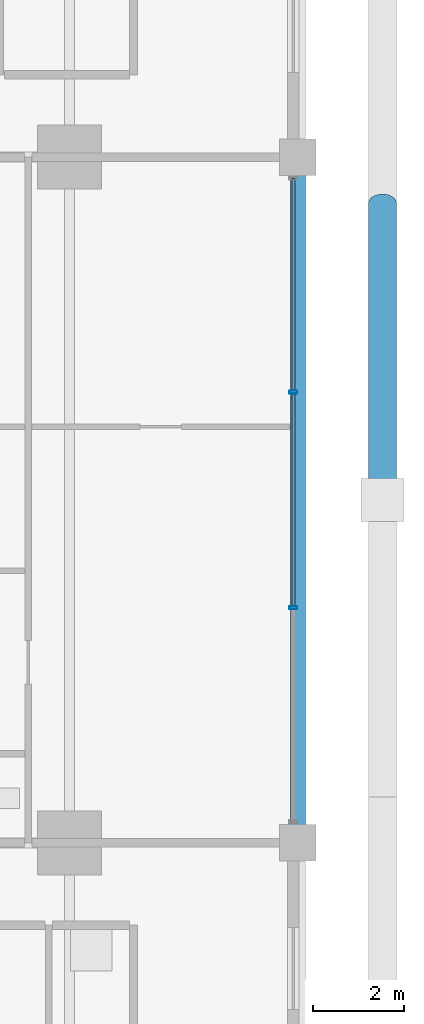
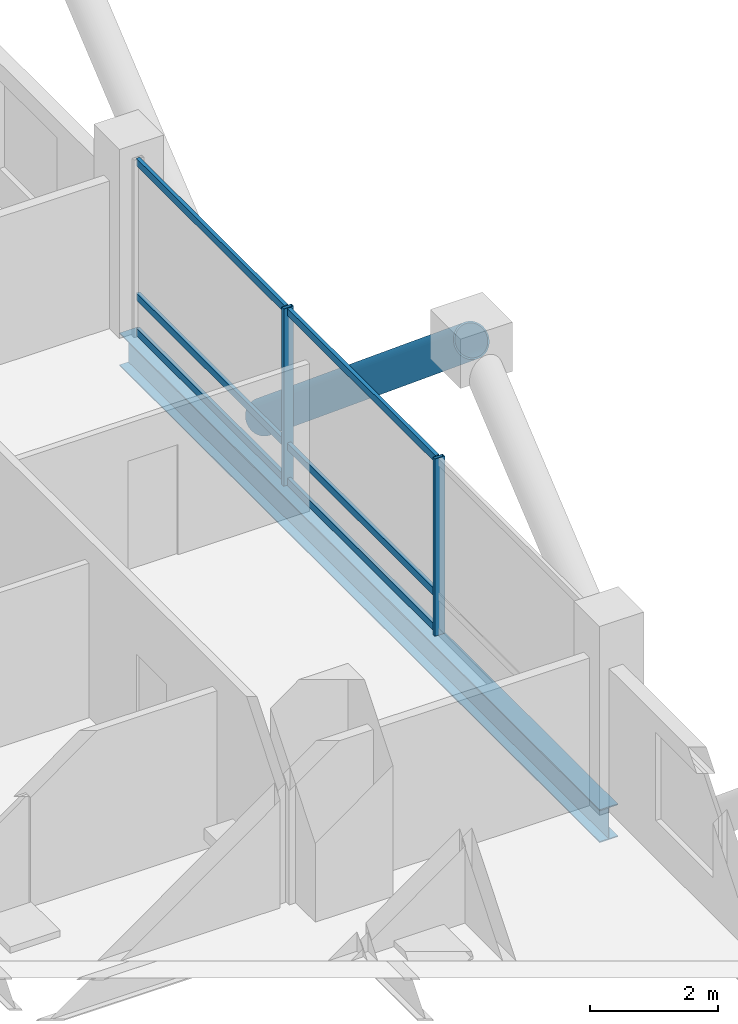
# One storey, part 10 of 24: 9 members, 1 beam, 1 element without a shape of its own.
"""IFC4 building model written with IfcOpenShell, lengths in metres."""

from ifc_helpers import new_model, si_unit, direction, frame, origin, origin_2d, place, context, subcontext, project, spatial, hollow_rectangle, hollow_circle, i_section, extrude, material, layer, layer_set, material_profile, profile_set, type_object, element, aggregate, save


model = new_model("IFC4")

# Units and contexts
model_context = context("Model", 3, precision=1e-05, world=origin(), true_north=direction((0.0, 1.0)))
body_context = subcontext(model_context, "Body", "Model", "MODEL_VIEW")
ifc_project = project(units=[si_unit("LENGTHUNIT", "METRE"), si_unit("AREAUNIT", "SQUARE_METRE"), si_unit("VOLUMEUNIT", "CUBIC_METRE"), si_unit("PLANEANGLEUNIT", "RADIAN"), si_unit("MASSUNIT", "GRAM", prefix="KILO")], contexts=[model_context])

# Site, building, storey
site_placement = place(None, origin())
site = spatial("IfcSite", under=ifc_project, at=site_placement, CompositionType="ELEMENT")
building_placement = place(site_placement, origin())
building = spatial("IfcBuilding", under=site, at=building_placement, Name="Barlavira Tower and Art Museum", CompositionType="ELEMENT")
storey_placement = place(building_placement, frame((0.0, 0.0, 46.800048828125)))
storey = spatial("IfcBuildingStorey", under=building, at=storey_placement, Name="L10", CompositionType="ELEMENT", Elevation=46.800048828125)

# Curtain wall, members
ifc_material_1 = material(Name="Low-iron coastal laminated glass", Category="glass")
ifc_layer = layer(ifc_material_1, 0.179931640625, Name="Low-iron coastal laminated glass")
ifc_layer_set = layer_set([ifc_layer], Name="Low-iron coastal laminated glass")
curtain_wall_type = type_object("IfcCurtainWallType", Name="Pale-Metal Unitised Curtain Wall Zone 1", PredefinedType="NOTDEFINED", material=ifc_layer_set)
curtain_wall_placement = place(storey_placement, origin())
curtain_wall = element("IfcCurtainWall", 1, at=curtain_wall_placement, inside=storey, type_object=curtain_wall_type, Name="L10 Curtain Wall CW1-L10-E-B3", PredefinedType="NOTDEFINED")
ifc_material_2 = material(Name="Pale anodised aluminium", Category="aluminium")
ifc_material_profile_1 = material_profile(ifc_material_2, hollow_rectangle(XDim=0.06494140625, YDim=0.179931640625, WallThickness=0.00390625, at=origin_2d()), Name="ALU-MULL 65x180x4")
ifc_profile_set_1 = profile_set([ifc_material_profile_1], Name="Pale anodised aluminium")
member_type_1 = type_object("IfcMemberType", Name="Curtain Wall Pale-Metal Mullion 65x180", PredefinedType="MULLION", material=ifc_profile_set_1)
member_1_placement = place(storey_placement, frame((21.89990234375, -2.360107421875, 0.0), z_axis=(0.0, 0.0, 1.0), x_axis=(0.0, 1.0, 0.0)))
member_1 = element("IfcMember", 2, at=member_1_placement, type_object=member_type_1, Name="CW1-L10-E-B3 Mullion 1", PredefinedType="MULLION", context=body_context, shape_type="SweptSolid", body=[
    extrude(hollow_rectangle(XDim=0.06494140625, YDim=0.179931640625, WallThickness=0.00390625, at=origin_2d()), origin(), (0.0, 0.0, 1.0), 3.3798828125),
])
member_2_placement = place(storey_placement, frame((21.89990234375, 2.360107421875, 0.0), z_axis=(0.0, 0.0, 1.0), x_axis=(0.0, 1.0, 0.0)))
member_2 = element("IfcMember", 3, at=member_2_placement, type_object=member_type_1, Name="CW1-L10-E-B3 Mullion 2", PredefinedType="MULLION", context=body_context, shape_type="SweptSolid", body=[
    extrude(hollow_rectangle(XDim=0.06494140625, YDim=0.179931640625, WallThickness=0.00390625, at=origin_2d()), origin(), (0.0, 0.0, 1.0), 3.3798828125),
])
ifc_material_profile_2 = material_profile(ifc_material_2, hollow_rectangle(XDim=0.06494140625, YDim=0.139892578125, WallThickness=0.00390625, at=origin_2d()), Name="ALU-TRAN 65x140x4")
ifc_profile_set_2 = profile_set([ifc_material_profile_2], Name="Pale anodised aluminium")
member_type_2 = type_object("IfcMemberType", Name="Curtain Wall Pale-Metal Transom 65x140", PredefinedType="USERDEFINED", material=ifc_profile_set_2)
member_3_placement = place(storey_placement, frame((21.89990234375, -2.31494140625, 0.070068359375), z_axis=(0.0, 1.0, 0.0), x_axis=(-1.0, 0.0, 0.0)))
member_3 = element("IfcMember", 4, at=member_3_placement, type_object=member_type_2, Name="CW1-L10-E-B3 Transom 1.1", ObjectType="TRANSOM", PredefinedType="USERDEFINED", context=body_context, shape_type="SweptSolid", body=[
    extrude(hollow_rectangle(XDim=0.06494140625, YDim=0.139892578125, WallThickness=0.00390625, at=origin_2d()), origin(), (0.0, 0.0, 1.0), 4.6298828125),
])
member_4_placement = place(storey_placement, frame((21.89990234375, -2.31494140625, 0.743896484375), z_axis=(0.0, 1.0, 0.0), x_axis=(-1.0, 0.0, 0.0)))
member_4 = element("IfcMember", 5, at=member_4_placement, type_object=member_type_2, Name="CW1-L10-E-B3 Transom 1.2", ObjectType="TRANSOM", PredefinedType="USERDEFINED", context=body_context, shape_type="SweptSolid", body=[
    extrude(hollow_rectangle(XDim=0.06494140625, YDim=0.139892578125, WallThickness=0.00390625, at=origin_2d()), origin(), (0.0, 0.0, 1.0), 4.6298828125),
])
member_5_placement = place(storey_placement, frame((21.89990234375, -2.31494140625, 3.31005859375), z_axis=(0.0, 1.0, 0.0), x_axis=(-1.0, 0.0, 0.0)))
member_5 = element("IfcMember", 6, at=member_5_placement, type_object=member_type_2, Name="CW1-L10-E-B3 Transom 1.3", ObjectType="TRANSOM", PredefinedType="USERDEFINED", context=body_context, shape_type="SweptSolid", body=[
    extrude(hollow_rectangle(XDim=0.06494140625, YDim=0.139892578125, WallThickness=0.00390625, at=origin_2d()), origin(), (0.0, 0.0, 1.0), 4.6298828125),
])
member_6_placement = place(storey_placement, frame((21.89990234375, 2.405029296875, 0.070068359375), z_axis=(0.0, 1.0, 0.0), x_axis=(-1.0, 0.0, 0.0)))
member_6 = element("IfcMember", 7, at=member_6_placement, type_object=member_type_2, Name="CW1-L10-E-B3 Transom 2.1", ObjectType="TRANSOM", PredefinedType="USERDEFINED", context=body_context, shape_type="SweptSolid", body=[
    extrude(hollow_rectangle(XDim=0.06494140625, YDim=0.139892578125, WallThickness=0.00390625, at=origin_2d()), origin(), (0.0, 0.0, 1.0), 4.6298828125),
])
member_7_placement = place(storey_placement, frame((21.89990234375, 2.405029296875, 0.743896484375), z_axis=(0.0, 1.0, 0.0), x_axis=(-1.0, 0.0, 0.0)))
member_7 = element("IfcMember", 8, at=member_7_placement, type_object=member_type_2, Name="CW1-L10-E-B3 Transom 2.2", ObjectType="TRANSOM", PredefinedType="USERDEFINED", context=body_context, shape_type="SweptSolid", body=[
    extrude(hollow_rectangle(XDim=0.06494140625, YDim=0.139892578125, WallThickness=0.00390625, at=origin_2d()), origin(), (0.0, 0.0, 1.0), 4.6298828125),
])
member_8_placement = place(storey_placement, frame((21.89990234375, 2.405029296875, 3.31005859375), z_axis=(0.0, 1.0, 0.0), x_axis=(-1.0, 0.0, 0.0)))
member_8 = element("IfcMember", 9, at=member_8_placement, type_object=member_type_2, Name="CW1-L10-E-B3 Transom 2.3", ObjectType="TRANSOM", PredefinedType="USERDEFINED", context=body_context, shape_type="SweptSolid", body=[
    extrude(hollow_rectangle(XDim=0.06494140625, YDim=0.139892578125, WallThickness=0.00390625, at=origin_2d()), origin(), (0.0, 0.0, 1.0), 4.6298828125),
])
aggregate(curtain_wall, [member_1, member_2, member_3, member_4, member_5, member_6, member_7, member_8])

# Member
ifc_material_3 = material(Name="Steel S355", Category="steel")
ifc_material_profile_3 = material_profile(ifc_material_3, hollow_circle(Radius=0.304931640625, WallThickness=0.028076171875, at=origin_2d()), Name="CHS 610.0x28.0")
ifc_profile_set_3 = profile_set([ifc_material_profile_3], Name="Steel S355")
member_type_3 = type_object("IfcMemberType", Name="Pale-Metal Exoskeleton Diagrid Tube CHS 610x28 Steel S355", PredefinedType="BRACE", material=ifc_profile_set_3)
member_9_placement = place(storey_placement, frame((23.85009765625, 6.5, -1.920166015625), z_axis=(0.0, -0.76918185268, 0.639029950399), x_axis=(1.0, 0.0, 0.0)))
element("IfcMember", 10, at=member_9_placement, inside=storey, type_object=member_type_3, Name="L10 Exoskeleton Diagrid Tube E", PredefinedType="BRACE", context=body_context, shape_type="SweptSolid", body=[
    extrude(hollow_circle(Radius=0.304931640625, WallThickness=0.028076171875, at=origin_2d()), origin(), (0.0, 0.0, 1.0), 8.450439453125),
])

# Beam
ifc_material_profile_4 = material_profile(ifc_material_3, i_section(OverallWidth=0.327880859375, OverallDepth=0.62890625, WebThickness=0.013916015625, FlangeThickness=0.021484375, at=origin_2d()), Name="W610x174.0")
ifc_profile_set_4 = profile_set([ifc_material_profile_4], Name="Steel S355")
beam_type = type_object("IfcBeamType", Name="Perimeter Spandrel Edge Beam W610x174 Steel S355", PredefinedType="SPANDREL", material=ifc_profile_set_4)
beam_placement = place(storey_placement, frame((22.0, -7.5, -0.53466796875), z_axis=(0.0, 1.0, 0.0), x_axis=(-1.0, 0.0, 0.0)))
element("IfcBeam", 11, at=beam_placement, inside=storey, type_object=beam_type, Name="L10 Spandrel 6", PredefinedType="SPANDREL", context=body_context, shape_type="SweptSolid", body=[
    extrude(i_section(OverallWidth=0.327880859375, OverallDepth=0.62890625, WebThickness=0.013916015625, FlangeThickness=0.021484375, at=origin_2d()), origin(), (0.0, 0.0, 1.0), 15.0),
])

save(model, "model.ifc")
